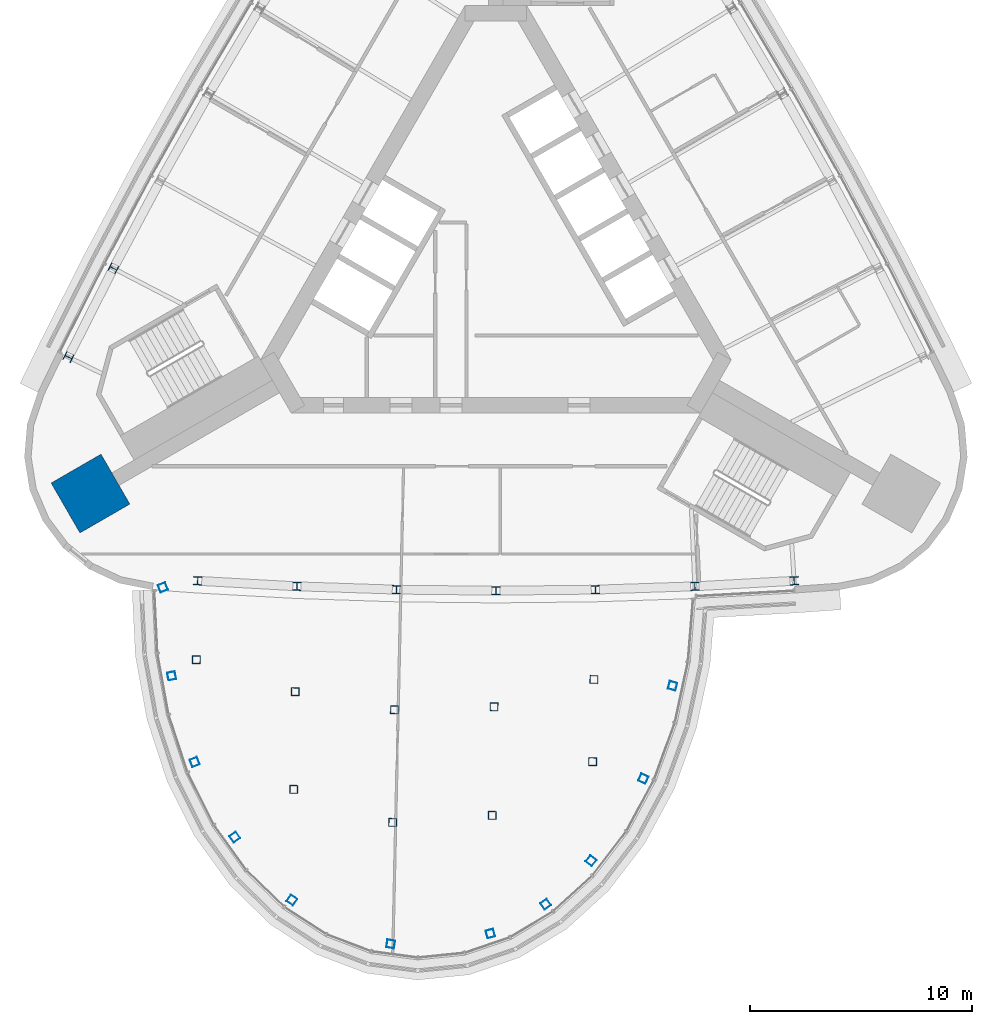
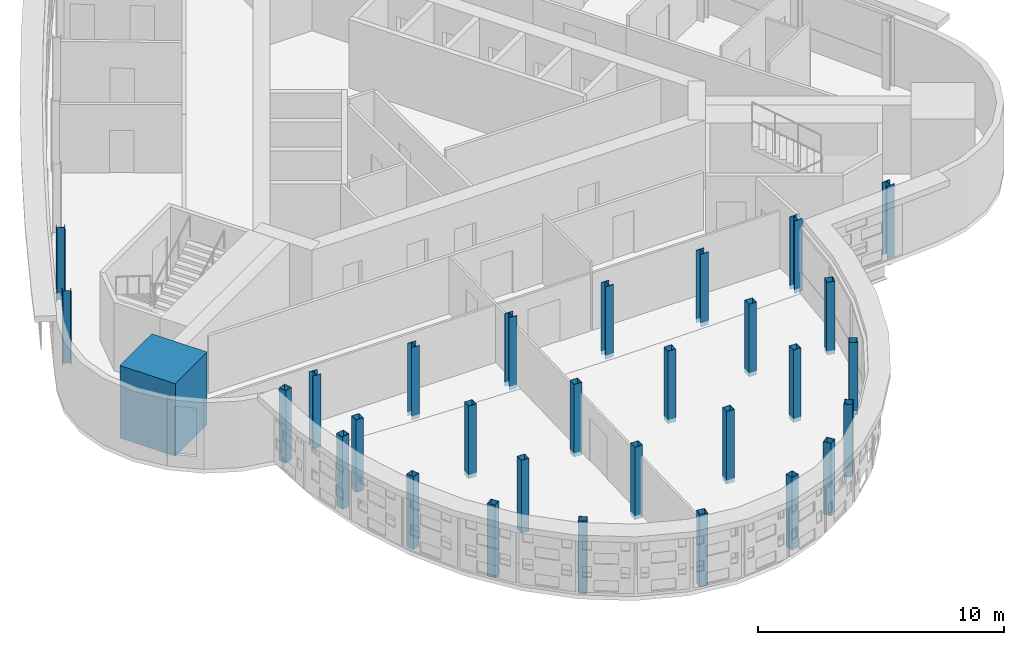
# One storey, part 1 of 14: 30 columns.
"""IFC4 building model written with IfcOpenShell, lengths in metres."""

from ifc_helpers import new_model, si_unit, direction, frame, origin, origin_2d, place, context, subcontext, project, spatial, rectangle, hollow_rectangle, i_section, extrude, material, material_profile, profile_set, type_object, element, save


model = new_model("IFC4")

# Units and contexts
model_context = context("Model", 3, precision=1e-05, world=origin(), true_north=direction((0.0, 1.0)))
body_context = subcontext(model_context, "Body", "Model", "MODEL_VIEW")
ifc_project = project(units=[si_unit("LENGTHUNIT", "METRE"), si_unit("AREAUNIT", "SQUARE_METRE"), si_unit("VOLUMEUNIT", "CUBIC_METRE"), si_unit("PLANEANGLEUNIT", "RADIAN"), si_unit("MASSUNIT", "GRAM", prefix="KILO")], contexts=[model_context])

# Site, building, storey
site_placement = place(None, origin())
site = spatial("IfcSite", under=ifc_project, at=site_placement, CompositionType="ELEMENT")
building_placement = place(site_placement, origin())
building = spatial("IfcBuilding", under=site, at=building_placement, Name="Noor Cloister Tower", CompositionType="ELEMENT")
storey_placement = place(building_placement, frame((0.0, 0.0, 214.800048828125)))
storey = spatial("IfcBuildingStorey", under=building, at=storey_placement, Name="L55", CompositionType="ELEMENT", Elevation=214.800048828125)

# Columns
ifc_material_1 = material(Name="Steel ASTM A992 Gr 50", Category="steel")
ifc_material_profile_1 = material_profile(ifc_material_1, i_section(OverallWidth=0.373046875, OverallDepth=0.367919921875, WebThickness=0.014892578125, FlangeThickness=0.02392578125, FilletRadius=0.01513671875, at=origin_2d()), Name="W360x179")
ifc_profile_set_1 = profile_set([ifc_material_profile_1], Name="Steel ASTM A992 Gr 50")
column_type_1 = type_object("IfcColumnType", Name="Column W360x179", PredefinedType="COLUMN", material=ifc_profile_set_1)
for number, where, z_axis, x_axis, name in (
    (1, (-17.253173828125, -0.399658203125, -0.199951171875), (0.0, 0.0, 1.0), (-0.461186480588, -0.887303234595, 0.0), "Column NW 06 L55"),
    (2, (-19.278564453125, -4.404296875, -0.199951171875), (0.0, 0.0, 1.0), (-0.441436057324, -0.89729270993, 0.0), "Column NW 07 L55"),
    (3, (-13.45361328125, -14.49365234375, -0.199951171875), (0.0, 0.0, 1.0), (0.997796310092, -0.066351515176, 0.0), "Column S 01 L55"),
    (4, (-8.97265625, -14.741943359375, -0.199951171875), (0.0, 0.0, 1.0), (0.999020382313, -0.044252409227, 0.0), "Column S 02 L55"),
    (5, (-4.487548828125, -14.890869140625, -0.199951171875), (0.0, 0.0, 1.0), (0.999755065582, -0.022131625419, 0.0), "Column S 03 L55"),
    (6, (0.0, -14.9404296875, -0.199951171875), (0.0, 0.0, 1.0), (1.0, 0.0, 0.0), "Column S 04 L55"),
    (7, (4.487548828125, -14.890869140625, -0.199951171875), (0.0, 0.0, 1.0), (0.999755065582, 0.022131625419, 0.0), "Column S 05 L55"),
    (8, (8.97265625, -14.741943359375, -0.199951171875), (0.0, 0.0, 1.0), (0.999020382313, 0.044252409227, 0.0), "Column S 06 L55"),
    (9, (13.45361328125, -14.49365234375, -0.199951171875), (0.0, 0.0, 1.0), (0.997796310092, 0.066351515176, 0.0), "Column S 07 L55"),
):
    element("IfcColumn", number, at=place(storey_placement, frame(where, z_axis=z_axis, x_axis=x_axis)), inside=storey, type_object=column_type_1, Name=name, PredefinedType="COLUMN", context=body_context, shape_type="SweptSolid", body=[
        extrude(i_section(OverallWidth=0.373046875, OverallDepth=0.367919921875, WebThickness=0.014892578125, FlangeThickness=0.02392578125, FilletRadius=0.01513671875, at=origin_2d()), origin(), (0.0, 0.0, 1.0), 3.599853515625),
    ])
ifc_material_2 = material(Name="Concrete C60/75", Category="concrete")
ifc_material_profile_2 = material_profile(ifc_material_2, rectangle(XDim=2.60009765625, YDim=2.60009765625, at=origin_2d()), Name="RC 2600x2600")
ifc_profile_set_2 = profile_set([ifc_material_profile_2], Name="Concrete C60/75")
column_type_2 = type_object("IfcColumnType", Name="Corner pier 2600 x 2600 C60/75", PredefinedType="COLUMN", material=ifc_profile_set_2)
column_placement = place(storey_placement, frame((-18.2861328125, -10.5576171875, -0.199951171875), z_axis=(0.0, 0.0, 1.0), x_axis=(-0.866025403784, -0.5, 0.0)))
element("IfcColumn", 10, at=column_placement, inside=storey, type_object=column_type_2, Name="Corner pier SW L55", PredefinedType="COLUMN", context=body_context, shape_type="SweptSolid", body=[
    extrude(rectangle(XDim=2.60009765625, YDim=2.60009765625, at=origin_2d()), origin(), (0.0, 0.0, 1.0), 3.599853515625),
])
ifc_material_3 = material(Name="Steel ASTM A500 Gr C", Category="steel")
ifc_material_profile_3 = material_profile(ifc_material_3, hollow_rectangle(XDim=0.35595703125, YDim=0.35595703125, WallThickness=0.0126953125, at=origin_2d()), Name="HSS355.6x355.6x12.7")
ifc_profile_set_3 = profile_set([ifc_material_profile_3], Name="Steel ASTM A500 Gr C")
column_type_3 = type_object("IfcColumnType", Name="Pod post HSS355.6x355.6x12.7", PredefinedType="COLUMN", material=ifc_profile_set_3)
for number, where, z_axis, x_axis, name in (
    (11, (-13.5107421875, -18.053466796875, -0.199951171875), (0.0, 0.0, 1.0), (-0.016039464463, -0.999871359516, 0.0), "Pod post 4 L55 line 1 node 1"),
    (12, (-9.049072265625, -19.49462890625, -0.199951171875), (0.0, 0.0, 1.0), (-0.016039464463, -0.999871359516, 0.0), "Pod post 4 L55 line 2 node 1"),
    (13, (-9.11962890625, -23.901611328125, -0.199951171875), (0.0, 0.0, 1.0), (-0.016039464463, -0.999871359516, 0.0), "Pod post 4 L55 line 2 node 2"),
    (14, (-4.574462890625, -20.312744140625, -0.199951171875), (0.0, 0.0, 1.0), (-0.016039464463, -0.999871359516, 0.0), "Pod post 4 L55 line 3 node 1"),
    (15, (-4.656005859375, -25.392822265625, -0.199951171875), (0.0, 0.0, 1.0), (-0.016039464463, -0.999871359516, 0.0), "Pod post 4 L55 line 3 node 2"),
    (16, (-0.083984375, -20.17919921875, -0.199951171875), (0.0, 0.0, 1.0), (-0.016039464463, -0.999871359516, 0.0), "Pod post 4 L55 line 4 node 1"),
    (17, (-0.16259765625, -25.07421875, -0.199951171875), (0.0, 0.0, 1.0), (-0.016039464463, -0.999871359516, 0.0), "Pod post 4 L55 line 4 node 2"),
    (18, (4.42236328125, -18.9443359375, -0.199951171875), (0.0, 0.0, 1.0), (-0.016039464463, -0.999871359516, 0.0), "Pod post 4 L55 line 5 node 1"),
    (19, (4.363037109375, -22.650146484375, -0.199951171875), (0.0, 0.0, 1.0), (-0.016039464463, -0.999871359516, 0.0), "Pod post 4 L55 line 5 node 2"),
    (20, (-15.020751953125, -14.789794921875, -0.199951171875), (0.0, 0.0, 1.0), (0.370053104001, -0.929010602856, 0.0), "Pod post 4 L55 ring 2"),
    (21, (-14.622802734375, -18.781005859375, -0.199951171875), (0.0, 0.0, 1.0), (0.179301974184, -0.983794085189, 0.0), "Pod post 4 L55 ring 3"),
    (22, (-13.584716796875, -22.66943359375, -0.199951171875), (0.0, 0.0, 1.0), (0.364969421479, -0.931019506447, 0.0), "Pod post 4 L55 ring 4"),
    (23, (-11.772705078125, -26.0517578125, -0.199951171875), (0.0, 0.0, 1.0), (0.575844384689, -0.817559321776, 0.0), "Pod post 4 L55 ring 5"),
    (24, (-9.19970703125, -28.89501953125, -0.199951171875), (0.0, 0.0, 1.0), (0.824616610555, -0.565692005951, 0.0), "Pod post 4 L55 ring 6"),
    (25, (-4.743896484375, -30.87353515625, -0.199951171875), (0.0, 0.0, 1.0), (0.986089930932, -0.166212659308, 0.0), "Pod post 4 L55 ring 7"),
    (26, (-0.248046875, -30.404052734375, -0.199951171875), (0.0, 0.0, 1.0), (0.968527880789, 0.248905090614, 0.0), "Pod post 4 L55 ring 8"),
    (27, (2.246337890625, -29.0771484375, -0.199951171875), (0.0, 0.0, 1.0), (0.810277438897, 0.586046475986, 0.0), "Pod post 4 L55 ring 9"),
    (28, (4.291259765625, -27.120849609375, -0.199951171875), (0.0, 0.0, 1.0), (0.614121771124, 0.789211283644, 0.0), "Pod post 4 L55 ring 10"),
    (29, (6.649658203125, -23.418212890625, -0.199951171875), (0.0, 0.0, 1.0), (0.422538368102, 0.906345037765, 0.0), "Pod post 4 L55 ring 11"),
    (30, (7.969970703125, -19.229736328125, -0.199951171875), (0.0, 0.0, 1.0), (0.259465118082, 0.965752479934, 0.0), "Pod post 4 L55 ring 12"),
):
    element("IfcColumn", number, at=place(storey_placement, frame(where, z_axis=z_axis, x_axis=x_axis)), inside=storey, type_object=column_type_3, Name=name, PredefinedType="COLUMN", context=body_context, shape_type="SweptSolid", body=[
        extrude(hollow_rectangle(XDim=0.35595703125, YDim=0.35595703125, WallThickness=0.0126953125, at=origin_2d()), origin(), (0.0, 0.0, 1.0), 3.599853515625),
    ])

save(model, "model.ifc")
